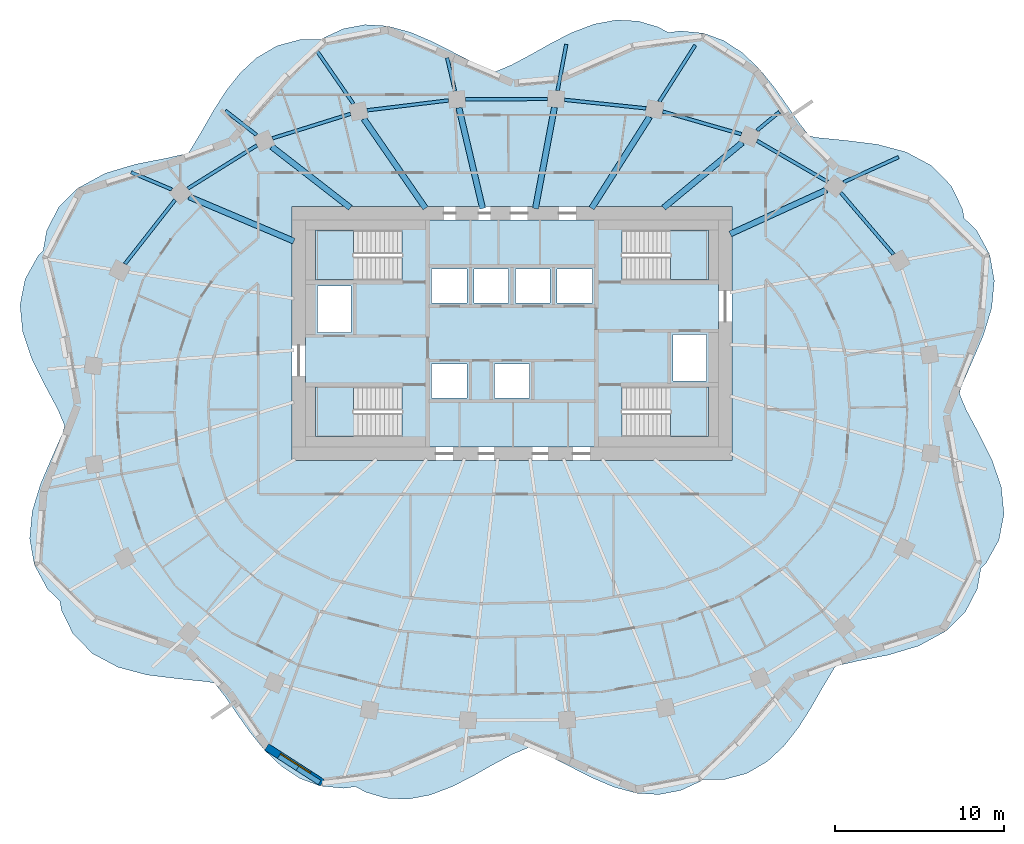
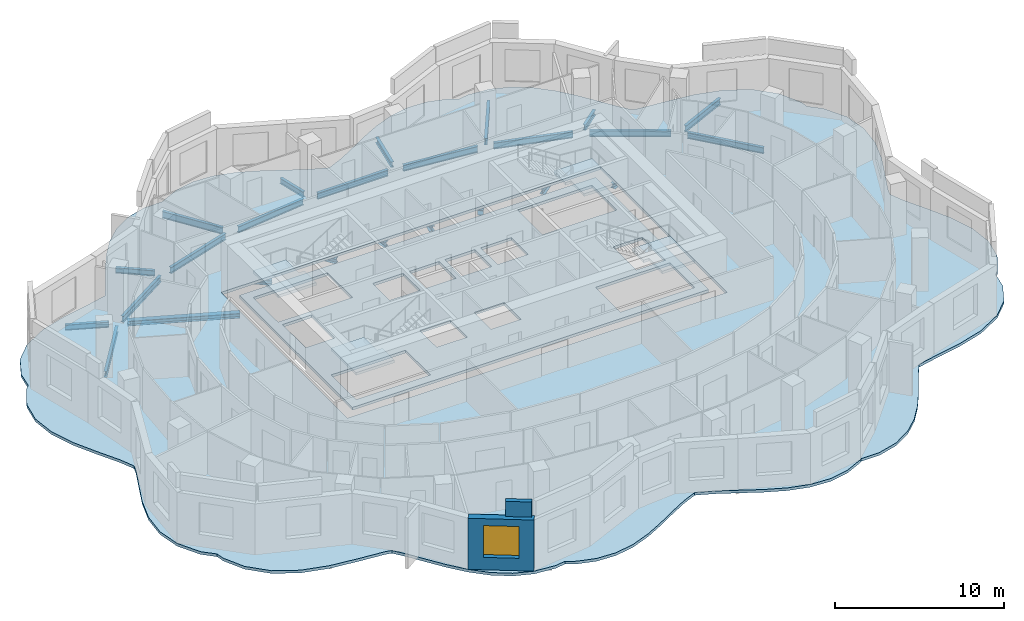
# One storey, part 2 of 11: 25 beams, 6 slabs, 2 walls, 1 window, 1 opening, 4 elements without a shape of their own.
"""IFC4 building model written with IfcOpenShell, lengths in metres."""

from ifc_helpers import new_model, si_unit, direction, frame, frame_2d, origin, origin_2d, place, context, subcontext, project, spatial, polyline, rectangle, i_section, outline, extrude, material, layer, layer_set, material_profile, profile_set, type_object, element, fill, aggregate, save


model = new_model("IFC4")

# Units and contexts
model_context = context("Model", 3, precision=1e-05, world=origin(), true_north=direction((0.0, 1.0)))
body_context = subcontext(model_context, "Body", "Model", "MODEL_VIEW")
ifc_project = project(units=[si_unit("LENGTHUNIT", "METRE"), si_unit("AREAUNIT", "SQUARE_METRE"), si_unit("VOLUMEUNIT", "CUBIC_METRE"), si_unit("PLANEANGLEUNIT", "RADIAN"), si_unit("MASSUNIT", "GRAM", prefix="KILO")], contexts=[model_context])

# Site, building, storey
site_placement = place(None, origin())
site = spatial("IfcSite", under=ifc_project, at=site_placement, CompositionType="ELEMENT")
building_placement = place(site_placement, origin())
building = spatial("IfcBuilding", under=site, at=building_placement, Name="Rubra Terraces Tower", CompositionType="ELEMENT")
storey_placement = place(building_placement, frame((0.0, 0.0, 197.39990234375)))
storey = spatial("IfcBuildingStorey", under=building, at=storey_placement, Name="L48", CompositionType="ELEMENT", Elevation=197.39990234375)

# Beams
ifc_material_1 = material(Name="Steel Q355B", Category="steel")
ifc_material_profile_1 = material_profile(ifc_material_1, i_section(OverallWidth=0.199951171875, OverallDepth=0.39990234375, WebThickness=0.008056640625, FlangeThickness=0.012939453125, at=origin_2d()), Name="HN 400x200x8x13")
ifc_profile_set_1 = profile_set([ifc_material_profile_1], Name="Steel Q355B")
beam_type_1 = type_object("IfcBeamType", Name="CANTILEVER BEAM HN 400x200x8x13", PredefinedType="BEAM", material=ifc_profile_set_1)
beam_1_placement = place(storey_placement, frame((14.47509765625, 16.4951171875, -0.39990234375), z_axis=(0.77029770599, 0.637684439316, 0.0), x_axis=(-0.637684439316, 0.77029770599, 0.0)))
element("IfcBeam", 1, at=beam_1_placement, inside=storey, type_object=beam_type_1, Name="beam-L48-cant-04", PredefinedType="BEAM", context=body_context, shape_type="SweptSolid", body=[
    extrude(i_section(OverallWidth=0.199951171875, OverallDepth=0.39990234375, WebThickness=0.008056640625, FlangeThickness=0.012939453125, at=origin_2d()), origin(), (0.0, 0.0, 1.0), 1.712158203125),
])
beam_2_placement = place(storey_placement, frame((2.695068359375, 18.85400390625, -0.39990234375), z_axis=(0.184719314681, 0.982791318024, 0.0), x_axis=(-0.982791318024, 0.184719314681, 0.0)))
element("IfcBeam", 2, at=beam_2_placement, inside=storey, type_object=beam_type_1, Name="beam-L48-cant-06", PredefinedType="BEAM", context=body_context, shape_type="SweptSolid", body=[
    extrude(i_section(OverallWidth=0.199951171875, OverallDepth=0.39990234375, WebThickness=0.008056640625, FlangeThickness=0.012939453125, at=origin_2d()), origin(), (0.0, 0.0, 1.0), 2.771484375),
])
beam_3_placement = place(storey_placement, frame((-3.3701171875, 18.823974609375, -0.39990234375), z_axis=(-0.229039333726, 0.973417168334, 0.0), x_axis=(-0.973417168334, -0.229039333726, 0.0)))
element("IfcBeam", 3, at=beam_3_placement, inside=storey, type_object=beam_type_1, Name="beam-L48-cant-07", PredefinedType="BEAM", context=body_context, shape_type="SweptSolid", body=[
    extrude(i_section(OverallWidth=0.199951171875, OverallDepth=0.39990234375, WebThickness=0.008056640625, FlangeThickness=0.012939453125, at=origin_2d()), origin(), (0.0, 0.0, 1.0), 2.016845703125),
])
beam_4_placement = place(storey_placement, frame((-15.087890625, 16.22705078125, -0.39990234375), z_axis=(-0.789644202525, 0.613565019716, 0.0), x_axis=(-0.613565019716, -0.789644202525, 0.0)))
element("IfcBeam", 4, at=beam_4_placement, inside=storey, type_object=beam_type_1, Name="beam-L48-cant-09", PredefinedType="BEAM", context=body_context, shape_type="SweptSolid", body=[
    extrude(i_section(OverallWidth=0.199951171875, OverallDepth=0.39990234375, WebThickness=0.008056640625, FlangeThickness=0.012939453125, at=origin_2d()), origin(), (0.0, 0.0, 1.0), 2.340576171875),
])
beam_5_placement = place(storey_placement, frame((-20.10205078125, 13.0048828125, -0.39990234375), z_axis=(-0.920891110766, 0.389819909846, 0.0), x_axis=(-0.389819909846, -0.920891110766, 0.0)))
element("IfcBeam", 5, at=beam_5_placement, inside=storey, type_object=beam_type_1, Name="beam-L48-cant-10", PredefinedType="BEAM", context=body_context, shape_type="SweptSolid", body=[
    extrude(i_section(OverallWidth=0.199951171875, OverallDepth=0.39990234375, WebThickness=0.008056640625, FlangeThickness=0.012939453125, at=origin_2d()), origin(), (0.0, 0.0, 1.0), 2.611572265625),
])
ifc_material_profile_2 = material_profile(ifc_material_1, i_section(OverallWidth=0.198974609375, OverallDepth=0.446044921875, WebThickness=0.008056640625, FlangeThickness=0.011962890625, at=origin_2d()), Name="HN 446x199x8x12")
ifc_profile_set_2 = profile_set([ifc_material_profile_2], Name="Steel Q355B")
beam_type_2 = type_object("IfcBeamType", Name="CANTILEVER BEAM HN 446x199x8x12", PredefinedType="BEAM", material=ifc_profile_set_2)
beam_6_placement = place(storey_placement, frame((19.596923828125, 13.43896484375, -0.4228515625), z_axis=(0.909750987553, 0.415154357614, 0.0), x_axis=(-0.415154357614, 0.909750987553, 0.0)))
element("IfcBeam", 6, at=beam_6_placement, inside=storey, type_object=beam_type_2, Name="beam-L48-cant-03", PredefinedType="BEAM", context=body_context, shape_type="SweptSolid", body=[
    extrude(i_section(OverallWidth=0.198974609375, OverallDepth=0.446044921875, WebThickness=0.008056640625, FlangeThickness=0.011962890625, at=origin_2d()), origin(), (0.0, 0.0, 1.0), 3.56494140625),
])
ifc_material_profile_3 = material_profile(ifc_material_1, i_section(OverallWidth=0.198974609375, OverallDepth=0.49609375, WebThickness=0.009033203125, FlangeThickness=0.013916015625, at=origin_2d()), Name="HN 496x199x9x14")
ifc_profile_set_3 = profile_set([ifc_material_profile_3], Name="Steel Q355B")
beam_type_3 = type_object("IfcBeamType", Name="CANTILEVER BEAM HN 496x199x9x14", PredefinedType="BEAM", material=ifc_profile_set_3)
beam_7_placement = place(storey_placement, frame((8.7099609375, 18.201904296875, -0.447998046875), z_axis=(0.536427545347, 0.843946377795, 0.0), x_axis=(-0.843946377795, 0.536427545347, 0.0)))
element("IfcBeam", 7, at=beam_7_placement, inside=storey, type_object=beam_type_3, Name="beam-L48-cant-05", PredefinedType="BEAM", context=body_context, shape_type="SweptSolid", body=[
    extrude(i_section(OverallWidth=0.198974609375, OverallDepth=0.49609375, WebThickness=0.009033203125, FlangeThickness=0.013916015625, at=origin_2d()), origin(), (0.0, 0.0, 1.0), 3.950439453125),
])
beam_8_placement = place(storey_placement, frame((-9.3701171875, 18.070068359375, -0.447998046875), z_axis=(-0.568216621414, 0.822879013676, 0.0), x_axis=(-0.822879013676, -0.568216621414, 0.0)))
element("IfcBeam", 8, at=beam_8_placement, inside=storey, type_object=beam_type_3, Name="beam-L48-cant-08", PredefinedType="BEAM", context=body_context, shape_type="SweptSolid", body=[
    extrude(i_section(OverallWidth=0.198974609375, OverallDepth=0.49609375, WebThickness=0.009033203125, FlangeThickness=0.013916015625, at=origin_2d()), origin(), (0.0, 0.0, 1.0), 3.95068359375),
])
ifc_material_profile_4 = material_profile(ifc_material_1, i_section(OverallWidth=0.35009765625, OverallDepth=0.35009765625, WebThickness=0.011962890625, FlangeThickness=0.01904296875, at=origin_2d()), Name="HW 350x350x12x19")
ifc_profile_set_4 = profile_set([ifc_material_profile_4], Name="Steel Q355B")
beam_type_4 = type_object("IfcBeamType", Name="FLOOR BEAM HW 350x350x12x19", PredefinedType="BEAM", material=ifc_profile_set_4)
beam_9_placement = place(storey_placement, frame((18.5869140625, 12.97900390625, -0.375), z_axis=(-0.909756526533, -0.415142219523, 0.0), x_axis=(0.415142219523, -0.909756526533, 0.0)))
element("IfcBeam", 9, at=beam_9_placement, inside=storey, type_object=beam_type_4, Name="beam-L48-floor-03", PredefinedType="BEAM", context=body_context, shape_type="SweptSolid", body=[
    extrude(i_section(OverallWidth=0.35009765625, OverallDepth=0.35009765625, WebThickness=0.011962890625, FlangeThickness=0.01904296875, at=origin_2d()), origin(), (0.0, 0.0, 1.0), 6.2607421875),
])
beam_10_placement = place(storey_placement, frame((13.60888671875, 15.777099609375, -0.375), z_axis=(-0.769987518392, -0.638058948312, 0.0), x_axis=(0.638058948312, -0.769987518392, 0.0)))
element("IfcBeam", 10, at=beam_10_placement, inside=storey, type_object=beam_type_4, Name="beam-L48-floor-04", PredefinedType="BEAM", context=body_context, shape_type="SweptSolid", body=[
    extrude(i_section(OverallWidth=0.35009765625, OverallDepth=0.35009765625, WebThickness=0.011962890625, FlangeThickness=0.01904296875, at=origin_2d()), origin(), (0.0, 0.0, 1.0), 6.040283203125),
])
beam_11_placement = place(storey_placement, frame((8.134033203125, 17.2958984375, -0.375), z_axis=(-0.536509861106, -0.843894050776, 0.0), x_axis=(0.843894050776, -0.536509861106, 0.0)))
element("IfcBeam", 11, at=beam_11_placement, inside=storey, type_object=beam_type_4, Name="beam-L48-floor-05", PredefinedType="BEAM", context=body_context, shape_type="SweptSolid", body=[
    extrude(i_section(OverallWidth=0.35009765625, OverallDepth=0.35009765625, WebThickness=0.011962890625, FlangeThickness=0.01904296875, at=origin_2d()), origin(), (0.0, 0.0, 1.0), 6.395263671875),
])
beam_12_placement = place(storey_placement, frame((2.509033203125, 17.862060546875, -0.375), z_axis=(-0.184574398021, -0.982818544593, 0.0), x_axis=(0.982818544593, -0.184574398021, 0.0)))
element("IfcBeam", 12, at=beam_12_placement, inside=storey, type_object=beam_type_4, Name="beam-L48-floor-06", PredefinedType="BEAM", context=body_context, shape_type="SweptSolid", body=[
    extrude(i_section(OverallWidth=0.35009765625, OverallDepth=0.35009765625, WebThickness=0.011962890625, FlangeThickness=0.01904296875, at=origin_2d()), origin(), (0.0, 0.0, 1.0), 6.08447265625),
])
beam_13_placement = place(storey_placement, frame((-3.137939453125, 17.8359375, -0.375), z_axis=(0.229070485592, -0.973409837957, 0.0), x_axis=(0.973409837957, 0.229070485592, 0.0)))
element("IfcBeam", 13, at=beam_13_placement, inside=storey, type_object=beam_type_4, Name="beam-L48-floor-07", PredefinedType="BEAM", context=body_context, shape_type="SweptSolid", body=[
    extrude(i_section(OverallWidth=0.35009765625, OverallDepth=0.35009765625, WebThickness=0.011962890625, FlangeThickness=0.01904296875, at=origin_2d()), origin(), (0.0, 0.0, 1.0), 6.115478515625),
])
beam_14_placement = place(storey_placement, frame((-8.756103515625, 17.179931640625, -0.375), z_axis=(0.568186422001, -0.822899866238, 0.0), x_axis=(0.822899866238, 0.568186422001, 0.0)))
element("IfcBeam", 14, at=beam_14_placement, inside=storey, type_object=beam_type_4, Name="beam-L48-floor-08", PredefinedType="BEAM", context=body_context, shape_type="SweptSolid", body=[
    extrude(i_section(OverallWidth=0.35009765625, OverallDepth=0.35009765625, WebThickness=0.011962890625, FlangeThickness=0.01904296875, at=origin_2d()), origin(), (0.0, 0.0, 1.0), 6.415283203125),
])
beam_15_placement = place(storey_placement, frame((-14.197998046875, 15.534912109375, -0.375), z_axis=(0.789548898228, -0.613687654517, 0.0), x_axis=(0.613687654517, 0.789548898228, 0.0)))
element("IfcBeam", 15, at=beam_15_placement, inside=storey, type_object=beam_type_4, Name="beam-L48-floor-09", PredefinedType="BEAM", context=body_context, shape_type="SweptSolid", body=[
    extrude(i_section(OverallWidth=0.35009765625, OverallDepth=0.35009765625, WebThickness=0.011962890625, FlangeThickness=0.01904296875, at=origin_2d()), origin(), (0.0, 0.0, 1.0), 5.880615234375),
])
beam_16_placement = place(storey_placement, frame((-19.083984375, 12.574951171875, -0.375), z_axis=(0.92097476483, -0.38962223056, 0.0), x_axis=(0.38962223056, 0.92097476483, 0.0)))
element("IfcBeam", 16, at=beam_16_placement, inside=storey, type_object=beam_type_4, Name="beam-L48-floor-10", PredefinedType="BEAM", context=body_context, shape_type="SweptSolid", body=[
    extrude(i_section(OverallWidth=0.35009765625, OverallDepth=0.35009765625, WebThickness=0.011962890625, FlangeThickness=0.01904296875, at=origin_2d()), origin(), (0.0, 0.0, 1.0), 6.7265625),
])
ifc_material_profile_5 = material_profile(ifc_material_1, i_section(OverallWidth=0.198974609375, OverallDepth=0.446044921875, WebThickness=0.008056640625, FlangeThickness=0.011962890625, at=origin_2d()), Name="HN 446x199x8x12")
ifc_profile_set_5 = profile_set([ifc_material_profile_5], Name="Steel Q355B")
beam_type_5 = type_object("IfcBeamType", Name="SPANDREL BEAM HN 446x199x8x12", PredefinedType="SPANDREL", material=ifc_profile_set_5)
beam_17_placement = place(storey_placement, frame((22.547119140625, 9.174072265625, -0.4228515625), z_axis=(-0.650372836218, 0.759615148552, 0.0), x_axis=(-0.759615148552, -0.650372836218, 0.0)))
element("IfcBeam", 17, at=beam_17_placement, inside=storey, type_object=beam_type_5, Name="beam-L48-spandrel-02", PredefinedType="SPANDREL", context=body_context, shape_type="SweptSolid", body=[
    extrude(i_section(OverallWidth=0.198974609375, OverallDepth=0.446044921875, WebThickness=0.008056640625, FlangeThickness=0.011962890625, at=origin_2d()), origin(), (0.0, 0.0, 1.0), 4.804931640625),
])
beam_18_placement = place(storey_placement, frame((18.653076171875, 13.462890625, -0.4228515625), z_axis=(-0.865153680787, 0.501506838059, 0.0), x_axis=(-0.501506838059, -0.865153680787, 0.0)))
element("IfcBeam", 18, at=beam_18_placement, inside=storey, type_object=beam_type_5, Name="beam-L48-spandrel-03", PredefinedType="SPANDREL", context=body_context, shape_type="SweptSolid", body=[
    extrude(i_section(OverallWidth=0.198974609375, OverallDepth=0.446044921875, WebThickness=0.008056640625, FlangeThickness=0.011962890625, at=origin_2d()), origin(), (0.0, 0.0, 1.0), 4.82568359375),
])
beam_19_placement = place(storey_placement, frame((13.55810546875, 16.27490234375, -0.4228515625), z_axis=(-0.961171164323, 0.275952881621, 0.0), x_axis=(-0.275952881621, -0.961171164323, 0.0)))
element("IfcBeam", 19, at=beam_19_placement, inside=storey, type_object=beam_type_5, Name="beam-L48-spandrel-04", PredefinedType="SPANDREL", context=body_context, shape_type="SweptSolid", body=[
    extrude(i_section(OverallWidth=0.198974609375, OverallDepth=0.446044921875, WebThickness=0.008056640625, FlangeThickness=0.011962890625, at=origin_2d()), origin(), (0.0, 0.0, 1.0), 4.842041015625),
])
beam_20_placement = place(storey_placement, frame((7.923095703125, 17.801025390625, -0.4228515625), z_axis=(-0.994565426955, 0.104113454971, 0.0), x_axis=(-0.104113454971, -0.994565426955, 0.0)))
element("IfcBeam", 20, at=beam_20_placement, inside=storey, type_object=beam_type_5, Name="beam-L48-spandrel-05", PredefinedType="SPANDREL", context=body_context, shape_type="SweptSolid", body=[
    extrude(i_section(OverallWidth=0.198974609375, OverallDepth=0.446044921875, WebThickness=0.008056640625, FlangeThickness=0.011962890625, at=origin_2d()), origin(), (0.0, 0.0, 1.0), 4.849365234375),
])
beam_21_placement = place(storey_placement, frame((2.10107421875, 18.35595703125, -0.4228515625), z_axis=(-0.999987852299, -0.004929021704, 0.0), x_axis=(0.004929021704, -0.999987852299, 0.0)))
element("IfcBeam", 21, at=beam_21_placement, inside=storey, type_object=beam_type_5, Name="beam-L48-spandrel-06", PredefinedType="SPANDREL", context=body_context, shape_type="SweptSolid", body=[
    extrude(i_section(OverallWidth=0.198974609375, OverallDepth=0.446044921875, WebThickness=0.008056640625, FlangeThickness=0.011962890625, at=origin_2d()), origin(), (0.0, 0.0, 1.0), 4.85400390625),
])
beam_22_placement = place(storey_placement, frame((-3.7509765625, 18.27001953125, -0.4228515625), z_axis=(-0.992698018573, -0.120626049929, 0.0), x_axis=(0.120626049929, -0.992698018573, 0.0)))
element("IfcBeam", 22, at=beam_22_placement, inside=storey, type_object=beam_type_5, Name="beam-L48-spandrel-07", PredefinedType="SPANDREL", context=body_context, shape_type="SweptSolid", body=[
    extrude(i_section(OverallWidth=0.198974609375, OverallDepth=0.446044921875, WebThickness=0.008056640625, FlangeThickness=0.011962890625, at=origin_2d()), origin(), (0.0, 0.0, 1.0), 4.849365234375),
])
beam_23_placement = place(storey_placement, frame((-9.5419921875, 17.47509765625, -0.4228515625), z_axis=(-0.954462027342, -0.298332429282, 0.0), x_axis=(0.298332429282, -0.954462027342, 0.0)))
element("IfcBeam", 23, at=beam_23_placement, inside=storey, type_object=beam_type_5, Name="beam-L48-spandrel-08", PredefinedType="SPANDREL", context=body_context, shape_type="SweptSolid", body=[
    extrude(i_section(OverallWidth=0.198974609375, OverallDepth=0.446044921875, WebThickness=0.008056640625, FlangeThickness=0.011962890625, at=origin_2d()), origin(), (0.0, 0.0, 1.0), 4.840576171875),
])
beam_24_placement = place(storey_placement, frame((-15.071044921875, 15.614013671875, -0.4228515625), z_axis=(-0.848183088492, -0.529703170083, 0.0), x_axis=(0.529703170083, -0.848183088492, 0.0)))
element("IfcBeam", 24, at=beam_24_placement, inside=storey, type_object=beam_type_5, Name="beam-L48-spandrel-09", PredefinedType="SPANDREL", context=body_context, shape_type="SweptSolid", body=[
    extrude(i_section(OverallWidth=0.198974609375, OverallDepth=0.446044921875, WebThickness=0.008056640625, FlangeThickness=0.011962890625, at=origin_2d()), origin(), (0.0, 0.0, 1.0), 4.8232421875),
])
beam_25_placement = place(storey_placement, frame((-19.906005859375, 12.39111328125, -0.4228515625), z_axis=(-0.617060338015, -0.786915840004, 0.0), x_axis=(0.786915840004, -0.617060338015, 0.0)))
element("IfcBeam", 25, at=beam_25_placement, inside=storey, type_object=beam_type_5, Name="beam-L48-spandrel-10", PredefinedType="SPANDREL", context=body_context, shape_type="SweptSolid", body=[
    extrude(i_section(OverallWidth=0.198974609375, OverallDepth=0.446044921875, WebThickness=0.008056640625, FlangeThickness=0.011962890625, at=origin_2d()), origin(), (0.0, 0.0, 1.0), 4.8037109375),
])

# Slab
ifc_material_2 = material(Name="Concrete C40", Category="concrete")
ifc_layer_1 = layer(ifc_material_2, 0.199951171875)
ifc_layer_set_1 = layer_set([ifc_layer_1], Name="Concrete C40")
slab_type_1 = type_object("IfcSlabType", Name="Core floor slab 200 concrete", PredefinedType="FLOOR", material=ifc_layer_set_1)
slab_1_placement = place(storey_placement, frame((0.0, 0.0, -0.199951171875)))
element("IfcSlab", 26, at=slab_1_placement, inside=storey, type_object=slab_type_1, Name="CORE FLOOR SLAB L48", PredefinedType="FLOOR", context=body_context, shape_type="SweptSolid", body=[
    extrude(outline(polyline([(-12.199951171875, -2.199951171875), (-12.199951171875, 11.199951171875), (12.199951171875, 11.199951171875), (12.199951171875, -2.199951171875), (-12.199951171875, -2.199951171875)]), holes=[polyline([(11.597900390625, 1.347900390625), (6.501953125, 1.347900390625), (6.501953125, -1.597900390625), (11.597900390625, -1.597900390625), (11.597900390625, 1.347900390625)]), polyline([(11.597900390625, 7.652099609375), (11.597900390625, 10.597900390625), (6.501953125, 10.597900390625), (6.501953125, 7.652099609375), (11.597900390625, 7.652099609375)]), polyline([(9.5, 1.699951171875), (11.5, 1.699951171875), (11.5, 4.449951171875), (9.5, 4.449951171875), (9.5, 1.699951171875)]), polyline([(4.75, 6.300048828125), (4.75, 8.300048828125), (2.64990234375, 8.300048828125), (2.64990234375, 6.300048828125), (4.75, 6.300048828125)]), polyline([(2.25, 8.300048828125), (0.199951171875, 8.300048828125), (0.199951171875, 6.300048828125), (2.25, 6.300048828125), (2.25, 8.300048828125)]), polyline([(1.02490234375, 0.699951171875), (1.02490234375, 2.699951171875), (-1.02490234375, 2.699951171875), (-1.02490234375, 0.699951171875), (1.02490234375, 0.699951171875)]), polyline([(-0.199951171875, 6.300048828125), (-0.199951171875, 8.300048828125), (-2.25, 8.300048828125), (-2.25, 6.300048828125), (-0.199951171875, 6.300048828125)]), polyline([(-4.75, 8.300048828125), (-4.75, 6.300048828125), (-2.64990234375, 6.300048828125), (-2.64990234375, 8.300048828125), (-4.75, 8.300048828125)]), polyline([(-2.64990234375, 0.699951171875), (-2.64990234375, 2.699951171875), (-4.75, 2.699951171875), (-4.75, 0.699951171875), (-2.64990234375, 0.699951171875)]), polyline([(-11.597900390625, -1.597900390625), (-6.501953125, -1.597900390625), (-6.501953125, 1.347900390625), (-11.597900390625, 1.347900390625), (-11.597900390625, -1.597900390625)]), polyline([(-11.597900390625, 10.597900390625), (-11.597900390625, 7.652099609375), (-6.501953125, 7.652099609375), (-6.501953125, 10.597900390625), (-11.597900390625, 10.597900390625)]), polyline([(-9.5, 4.550048828125), (-9.5, 7.300048828125), (-11.5, 7.300048828125), (-11.5, 4.550048828125), (-9.5, 4.550048828125)])]), origin(), (0.0, 0.0, 1.0), 0.199951171875),
])

# Stair, slab
stair_type = type_object("IfcStairType", Name="Core stair 1400", PredefinedType="HALF_TURN_STAIR", material=ifc_material_2)
stair_1_placement = place(storey_placement, origin())
stair_1 = element("IfcStair", 27, at=stair_1_placement, inside=storey, type_object=stair_type, Name="L48 Exit stair S1", PredefinedType="HALF_TURN_STAIR")
ifc_layer_2 = layer(ifc_material_2, 0.199951171875)
ifc_layer_set_2 = layer_set([ifc_layer_2], Name="Concrete C40")
slab_type_2 = type_object("IfcSlabType", Name="Core stair landing 200", PredefinedType="LANDING", material=ifc_layer_set_2)
slab_2_placement = place(storey_placement, frame((0.0, 0.0, 1.75)))
slab_2 = element("IfcSlab", 28, at=slab_2_placement, type_object=slab_type_2, Name="S1 landing 1", PredefinedType="LANDING", context=body_context, shape_type="SweptSolid", body=[
    extrude(outline(polyline([(-8.97998046875, -0.199951171875), (-8.97998046875, -1.60009765625), (-9.360107421875, -1.60009765625), (-9.3798828125, -1.60009765625), (-11.60009765625, -1.60009765625), (-11.60009765625, 1.35009765625), (-9.3798828125, 1.35009765625), (-9.35791015625, 1.35009765625), (-9.35791015625, -0.050048828125), (-9.360107421875, -0.050048828125), (-9.360107421875, -0.199951171875), (-8.97998046875, -0.199951171875)])), origin(), (0.0, 0.0, 1.0), 0.2001953125),
])
aggregate(stair_1, [slab_2])

stair_2_placement = place(storey_placement, origin())
stair_2 = element("IfcStair", 29, at=stair_2_placement, inside=storey, type_object=stair_type, Name="L48 Exit stair S2", PredefinedType="HALF_TURN_STAIR")
slab_3_placement = place(storey_placement, frame((0.0, 0.0, 1.75)))
slab_3 = element("IfcSlab", 30, at=slab_3_placement, type_object=slab_type_2, Name="S2 landing 1", PredefinedType="LANDING", context=body_context, shape_type="SweptSolid", body=[
    extrude(outline(polyline([(-8.97998046875, 9.050048828125), (-8.97998046875, 7.64990234375), (-9.3798828125, 7.64990234375), (-11.60009765625, 7.64990234375), (-11.60009765625, 10.60009765625), (-9.3798828125, 10.60009765625), (-9.360107421875, 10.60009765625), (-9.35791015625, 10.60009765625), (-9.35791015625, 9.199951171875), (-9.360107421875, 9.199951171875), (-9.360107421875, 9.050048828125), (-8.97998046875, 9.050048828125)])), origin(), (0.0, 0.0, 1.0), 0.2001953125),
])
aggregate(stair_2, [slab_3])

stair_3_placement = place(storey_placement, origin())
stair_3 = element("IfcStair", 31, at=stair_3_placement, inside=storey, type_object=stair_type, Name="L48 Exit stair S3", PredefinedType="HALF_TURN_STAIR")
slab_4_placement = place(storey_placement, frame((0.0, 0.0, 1.75)))
slab_4 = element("IfcSlab", 32, at=slab_4_placement, type_object=slab_type_2, Name="S3 landing 1", PredefinedType="LANDING", context=body_context, shape_type="SweptSolid", body=[
    extrude(outline(polyline([(9.360107421875, 9.050048828125), (9.360107421875, 9.199951171875), (8.97998046875, 9.199951171875), (8.97998046875, 10.60009765625), (9.360107421875, 10.60009765625), (9.3798828125, 10.60009765625), (11.60009765625, 10.60009765625), (11.60009765625, 7.64990234375), (9.3798828125, 7.64990234375), (9.35791015625, 7.64990234375), (9.35791015625, 9.050048828125), (9.360107421875, 9.050048828125)])), origin(), (0.0, 0.0, 1.0), 0.2001953125),
])
aggregate(stair_3, [slab_4])

stair_4_placement = place(storey_placement, origin())
stair_4 = element("IfcStair", 33, at=stair_4_placement, inside=storey, type_object=stair_type, Name="L48 Exit stair S4", PredefinedType="HALF_TURN_STAIR")
slab_5_placement = place(storey_placement, frame((0.0, 0.0, 1.75)))
slab_5 = element("IfcSlab", 34, at=slab_5_placement, type_object=slab_type_2, Name="S4 landing 1", PredefinedType="LANDING", context=body_context, shape_type="SweptSolid", body=[
    extrude(outline(polyline([(9.360107421875, -0.199951171875), (9.360107421875, -0.050048828125), (8.97998046875, -0.050048828125), (8.97998046875, 1.35009765625), (9.360107421875, 1.35009765625), (9.3798828125, 1.35009765625), (11.60009765625, 1.35009765625), (11.60009765625, -1.60009765625), (9.3798828125, -1.60009765625), (9.360107421875, -1.60009765625), (9.35791015625, -1.60009765625), (9.35791015625, -0.199951171875), (9.360107421875, -0.199951171875)])), origin(), (0.0, 0.0, 1.0), 0.2001953125),
])
aggregate(stair_4, [slab_5])

# Slab
ifc_layer_3 = layer(ifc_material_2, 0.199951171875)
ifc_layer_set_3 = layer_set([ifc_layer_3], Name="Concrete C40")
slab_type_3 = type_object("IfcSlabType", Name="FLOOR SLAB 200 COMPOSITE", PredefinedType="FLOOR", material=ifc_layer_set_3)
slab_6_placement = place(storey_placement, frame((0.0, 0.0, -0.199951171875)))
element("IfcSlab", 35, at=slab_6_placement, inside=storey, type_object=slab_type_3, Name="FLOOR SLAB L48", PredefinedType="FLOOR", context=body_context, shape_type="SweptSolid", body=[
    extrude(outline(polyline([(-3.528076171875, -22.27490234375), (-2.3291015625, -21.662109375), (-1.156005859375, -20.9990234375), (0.0, -20.383056640625), (0.97802734375, -19.965087890625), (1.10009765625, -19.9990234375), (2.2060546875, -20.471923828125), (3.3330078125, -21.044921875), (4.64990234375, -21.718994140625), (5.9990234375, -22.298095703125), (7.364990234375, -22.66796875), (8.68798828125, -22.74609375), (9.969970703125, -22.5029296875), (11.180908203125, -21.943115234375), (11.287109375, -21.865966796875), (12.552978515625, -21.85595703125), (13.886962890625, -21.4951171875), (15.10009765625, -20.782958984375), (16.069091796875, -19.883056640625), (16.9140625, -18.81005859375), (17.65087890625, -17.65087890625), (18.34912109375, -16.429931640625), (19.02294921875, -15.304931640625), (19.14306640625, -15.14306640625), (20.443115234375, -14.85302734375), (22.22412109375, -14.506103515625), (24.031982421875, -13.967041015625), (25.6650390625, -13.076904296875), (26.780029296875, -11.968994140625), (27.4951171875, -10.587890625), (27.708984375, -9.381103515625), (28.0, -9.097900390625), (28.77099609375, -7.715087890625), (29.072021484375, -6.176025390625), (28.912109375, -4.5791015625), (28.365966796875, -2.970947265625), (27.60498046875, -1.447998046875), (26.8330078125, 0.0), (26.429931640625, 0.955078125), (26.56689453125, 1.409912109375), (27.200927734375, 2.863037109375), (27.864990234375, 4.4130859375), (28.345947265625, 6.0), (28.501953125, 7.617919921875), (28.22607421875, 9.1708984375), (27.449951171875, 10.60400390625), (26.719970703125, 11.302001953125), (26.618896484375, 11.860107421875), (25.9541015625, 13.22412109375), (24.791015625, 14.4169921875), (23.280029296875, 15.22412109375), (21.576904296875, 15.677001953125), (19.7109375, 15.906982421875), (17.967041015625, 16.08203125), (17.56591796875, 16.169921875), (16.9560546875, 16.9560546875), (16.235107421875, 18.0), (15.468017578125, 19.083984375), (14.62109375, 20.1240234375), (13.6298828125, 21.072998046875), (12.529052734375, 21.798095703125), (11.3330078125, 22.240966796875), (9.931884765625, 22.3759765625), (8.489013671875, 22.1650390625), (9.2470703125, 22.27587890625), (8.634033203125, 22.60888671875), (7.4599609375, 22.958984375), (6.156982421875, 23.02197265625), (4.837890625, 22.77490234375), (3.528076171875, 22.27490234375), (2.3291015625, 21.662109375), (1.156005859375, 20.9990234375), (0.0, 20.383056640625), (-0.97802734375, 19.965087890625), (-1.10009765625, 19.9990234375), (-2.2060546875, 20.471923828125), (-3.3330078125, 21.044921875), (-4.64990234375, 21.718994140625), (-5.9990234375, 22.298095703125), (-7.364990234375, 22.66796875), (-8.68798828125, 22.74609375), (-9.969970703125, 22.5029296875), (-11.180908203125, 21.943115234375), (-11.287109375, 21.865966796875), (-12.552978515625, 21.85595703125), (-13.886962890625, 21.4951171875), (-15.10009765625, 20.782958984375), (-16.069091796875, 19.883056640625), (-16.9140625, 18.81005859375), (-17.65087890625, 17.65087890625), (-18.34912109375, 16.429931640625), (-19.02294921875, 15.304931640625), (-19.14306640625, 15.14306640625), (-20.443115234375, 14.85302734375), (-22.22412109375, 14.506103515625), (-24.031982421875, 13.967041015625), (-25.6650390625, 13.076904296875), (-26.780029296875, 11.968994140625), (-27.4951171875, 10.587890625), (-27.708984375, 9.381103515625), (-28.0, 9.097900390625), (-28.77099609375, 7.715087890625), (-29.072021484375, 6.176025390625), (-28.912109375, 4.5791015625), (-28.365966796875, 2.970947265625), (-27.60498046875, 1.447998046875), (-26.8330078125, 0.0), (-26.429931640625, -0.955078125), (-26.56689453125, -1.409912109375), (-27.200927734375, -2.863037109375), (-27.864990234375, -4.4130859375), (-28.345947265625, -6.0), (-28.501953125, -7.617919921875), (-28.22607421875, -9.1708984375), (-27.449951171875, -10.60400390625), (-26.719970703125, -11.302001953125), (-26.618896484375, -11.860107421875), (-25.9541015625, -13.22412109375), (-24.791015625, -14.4169921875), (-23.280029296875, -15.22412109375), (-21.576904296875, -15.677001953125), (-19.7109375, -15.906982421875), (-17.967041015625, -16.08203125), (-17.56591796875, -16.169921875), (-16.9560546875, -16.9560546875), (-16.235107421875, -18.0), (-15.468017578125, -19.083984375), (-14.62109375, -20.1240234375), (-13.6298828125, -21.072998046875), (-12.529052734375, -21.798095703125), (-11.3330078125, -22.240966796875), (-9.931884765625, -22.3759765625), (-8.489013671875, -22.1650390625), (-9.2470703125, -22.27587890625), (-8.634033203125, -22.60888671875), (-7.4599609375, -22.958984375), (-6.156982421875, -23.02197265625), (-4.837890625, -22.77490234375), (-3.528076171875, -22.27490234375)]), holes=[polyline([(13.0, 12.0), (13.0, -3.0), (-13.0, -3.0), (-13.0, 12.0), (13.0, 12.0)])]), origin(), (0.0, 0.0, 1.0), 0.199951171875),
])

# Wall, opening, window
ifc_material_3 = material(Name="Brick masonry red-brown", Category="masonry")
ifc_layer_4 = layer(ifc_material_3, 0.449951171875)
ifc_layer_set_4 = layer_set([ifc_layer_4], Name="Brick masonry red-brown")
wall_type_1 = type_object("IfcWallType", Name="Brick facade wall 450", PredefinedType="SOLIDWALL", material=ifc_layer_set_4)
wall_1_placement = place(storey_placement, frame((-14.499267578125, -19.934814453125, 0.0), z_axis=(0.0, 0.0, 1.0), x_axis=(0.84080910763, -0.541331732422, 0.0)))
wall_1 = element("IfcWall", 36, at=wall_1_placement, inside=storey, type_object=wall_type_1, Name="Facade wall L48 bay 27", PredefinedType="SOLIDWALL", context=body_context, shape_type="SweptSolid", body=[
    extrude(rectangle(XDim=3.91064453125, YDim=0.449951171875, at=frame_2d((1.955322265625, 0.0))), origin(), (0.0, 0.0, 1.0), 3.7001953125),
])
opening_placement = place(wall_1_placement, frame((0.9052734375, 0.0, 0.89990234375)))
opening = element("IfcOpeningElement", 37, at=opening_placement, cuts=wall_1, Name="Opening W1B", PredefinedType="OPENING", context=body_context, shape_type="SweptSolid", body=[
    extrude(rectangle(XDim=2.10009765625, YDim=2.300048828125, at=frame_2d((1.050048828125, 1.14990234375))), frame((0.0, 0.23486328125, 0.0), z_axis=(0.0, -1.0, 0.0), x_axis=(1.0, 0.0, 0.0)), (0.0, 0.0, 1.0), 0.469970703125),
])
ifc_material_4 = material(Name="Clear glass in aluminium frame", Category="aluminium")
window_type = type_object("IfcWindowType", Name="Fixed deep-set window tall storey 2100 x 2300", PartitioningType="SINGLE_PANEL", PredefinedType="WINDOW", material=ifc_material_4)
window_placement = place(opening_placement, origin())
window = element("IfcWindow", 38, at=window_placement, inside=storey, type_object=window_type, Name="Window L48 bay 27", OverallHeight=2.300048828125, OverallWidth=2.10009765625, PartitioningType="SINGLE_PANEL", PredefinedType="WINDOW", context=body_context, shape_type="SweptSolid", body=[
    extrude(rectangle(XDim=2.10009765625, YDim=2.300048828125, at=frame_2d((1.050048828125, 1.14990234375))), frame((0.0, 0.135009765625, 0.0), z_axis=(0.0, -1.0, 0.0), x_axis=(1.0, 0.0, 0.0)), (0.0, 0.0, 1.0), 0.06005859375),
])
fill(opening, window)

# Wall
ifc_layer_5 = layer(ifc_material_3, 0.300048828125)
ifc_layer_set_5 = layer_set([ifc_layer_5], Name="Brick masonry red-brown")
wall_type_2 = type_object("IfcWallType", Name="Brick parapet 300", PredefinedType="PARAPET", material=ifc_layer_set_5)
wall_2_placement = place(storey_placement, frame((-12.680419921875, -21.195068359375, 3.900146484375), z_axis=(0.0, 0.0, 1.0), x_axis=(0.840806975541, -0.541335044018, 0.0)))
element("IfcWall", 39, at=wall_2_placement, inside=storey, type_object=wall_type_2, Name="Parapet L48 bay 27", PredefinedType="PARAPET", context=body_context, shape_type="SweptSolid", body=[
    extrude(rectangle(XDim=1.5595703125, YDim=0.300048828125, at=frame_2d((0.77978515625, 0.0))), origin(), (0.0, 0.0, 1.0), 1.099853515625),
])

save(model, "model.ifc")
